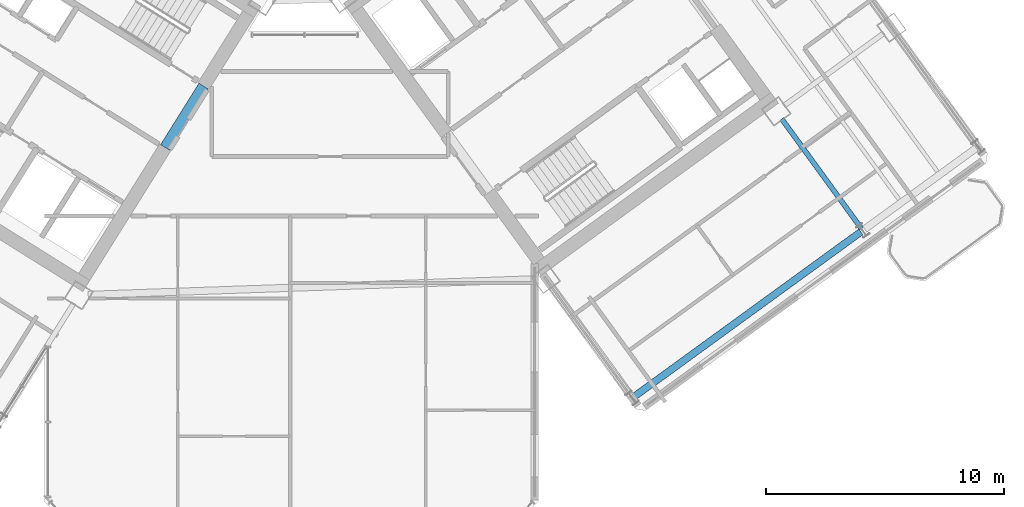
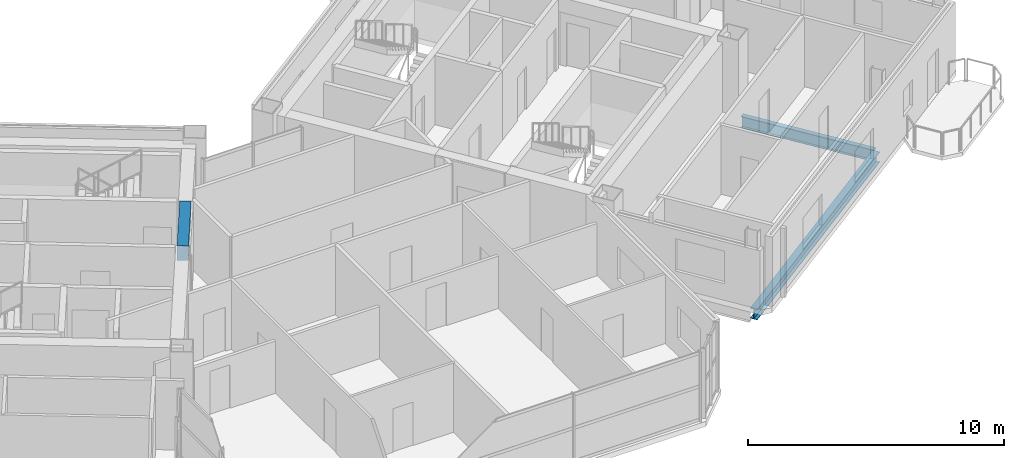
# One storey, part 11 of 29: 3 beams.
"""IFC4 building model written with IfcOpenShell, lengths in metres."""

from ifc_helpers import new_model, si_unit, direction, frame, origin, origin_2d, place, context, subcontext, project, spatial, rectangle, i_section, extrude, source, transform, mapped, material, material_profile, profile_set, type_object, element, save


model = new_model("IFC4")

# Units and contexts
model_context = context("Model", 3, precision=1e-05, world=origin(), true_north=direction((0.0, 1.0)))
body_context = subcontext(model_context, "Body", "Model", "MODEL_VIEW")
ifc_project = project(units=[si_unit("LENGTHUNIT", "METRE"), si_unit("AREAUNIT", "SQUARE_METRE"), si_unit("VOLUMEUNIT", "CUBIC_METRE"), si_unit("PLANEANGLEUNIT", "RADIAN"), si_unit("MASSUNIT", "GRAM", prefix="KILO")], contexts=[model_context])

# Site, building, storey
site_placement = place(None, origin())
site = spatial("IfcSite", under=ifc_project, at=site_placement, CompositionType="ELEMENT")
building_placement = place(site_placement, origin())
building = spatial("IfcBuilding", under=site, at=building_placement, Name="Tlacorven Tower", CompositionType="ELEMENT")
storey_placement = place(building_placement, frame((0.0, 0.0, 165.89990234375)))
storey = spatial("IfcBuildingStorey", under=building, at=storey_placement, Name="L42", CompositionType="ELEMENT", Elevation=165.89990234375)

# Beams
ifc_material_1 = material(Name="Concrete C60/75", Category="concrete")
ifc_material_profile_1 = material_profile(ifc_material_1, rectangle(XDim=0.449951171875, YDim=0.699951171875, at=origin_2d()), Name="RC 450X700")
ifc_profile_set_1 = profile_set([ifc_material_profile_1], Name="Concrete C60/75")
beam_type_1 = type_object("IfcBeamType", Name="BM-LNT-700", PredefinedType="LINTEL", material=ifc_profile_set_1)
shared_shape_1 = source(origin(), body_context, "Body", "SweptSolid", [
    extrude(rectangle(XDim=0.449951171875, YDim=0.699951171875, at=origin_2d()), origin(), (0.0, 0.0, 1.0), 3.050048828125),
])
beam_1_placement = place(storey_placement, frame((38.2998046875, 20.890625, 2.97021484375), z_axis=(-0.529984549635, -0.848007297815, 0.0), x_axis=(0.848007297815, -0.529984549635, 0.0)))
element("IfcBeam", 1, at=beam_1_placement, inside=storey, type_object=beam_type_1, Name="L42 W core coupling lintel beam E1", PredefinedType="LINTEL", context=body_context, shape_type="MappedRepresentation", body=[
    mapped(shared_shape_1, transform((0.0, 0.0, 0.0), scale=1.0)),
])
ifc_material_2 = material(Name="Steel S355J2", Category="steel")
ifc_material_profile_2 = material_profile(ifc_material_2, i_section(OverallWidth=0.300048828125, OverallDepth=0.489990234375, WebThickness=0.011962890625, FlangeThickness=0.02294921875, at=origin_2d()), Name="HEA 500")
ifc_profile_set_2 = profile_set([ifc_material_profile_2], Name="Steel S355J2")
beam_type_2 = type_object("IfcBeamType", Name="BM-SPN-500", PredefinedType="SPANDREL", material=ifc_profile_set_2)
shared_shape_2 = source(origin(), body_context, "Body", "SweptSolid", [
    extrude(i_section(OverallWidth=0.300048828125, OverallDepth=0.489990234375, WebThickness=0.011962890625, FlangeThickness=0.02294921875, at=origin_2d()), origin(), (0.0, 0.0, 1.0), 11.800048828125),
])
beam_2_placement = place(storey_placement, frame((56.4306640625, 7.816162109375, -0.494873046875), z_axis=(0.80900977213, 0.587795192732, 0.0), x_axis=(-0.587795192732, 0.80900977213, 0.0)))
element("IfcBeam", 2, at=beam_2_placement, inside=storey, type_object=beam_type_2, Name="L42 beam BM-L42-EL1-1", PredefinedType="SPANDREL", context=body_context, shape_type="MappedRepresentation", body=[
    mapped(shared_shape_2, transform((0.0, 0.0, 0.0), scale=1.0)),
])
ifc_material_profile_3 = material_profile(ifc_material_2, i_section(OverallWidth=0.2099609375, OverallDepth=0.550048828125, WebThickness=0.010986328125, FlangeThickness=0.01708984375, at=origin_2d()), Name="IPE 550")
ifc_profile_set_3 = profile_set([ifc_material_profile_3], Name="Steel S355J2")
beam_type_3 = type_object("IfcBeamType", Name="BM-TWR-550", PredefinedType="BEAM", material=ifc_profile_set_3)
shared_shape_3 = source(origin(), body_context, "Body", "SweptSolid", [
    extrude(i_section(OverallWidth=0.2099609375, OverallDepth=0.550048828125, WebThickness=0.010986328125, FlangeThickness=0.01708984375, at=origin_2d()), origin(), (0.0, 0.0, 1.0), 5.699951171875),
])
beam_3_placement = place(storey_placement, frame((65.9990234375, 14.891845703125, -0.52490234375), z_axis=(-0.587787066966, 0.809015675935, 0.0), x_axis=(-0.809015675935, -0.587787066966, 0.0)))
element("IfcBeam", 3, at=beam_3_placement, inside=storey, type_object=beam_type_3, Name="L42 beam BM-L42-ET3-1", PredefinedType="BEAM", context=body_context, shape_type="MappedRepresentation", body=[
    mapped(shared_shape_3, transform((0.0, 0.0, 0.0), scale=1.0)),
])

save(model, "model.ifc")
